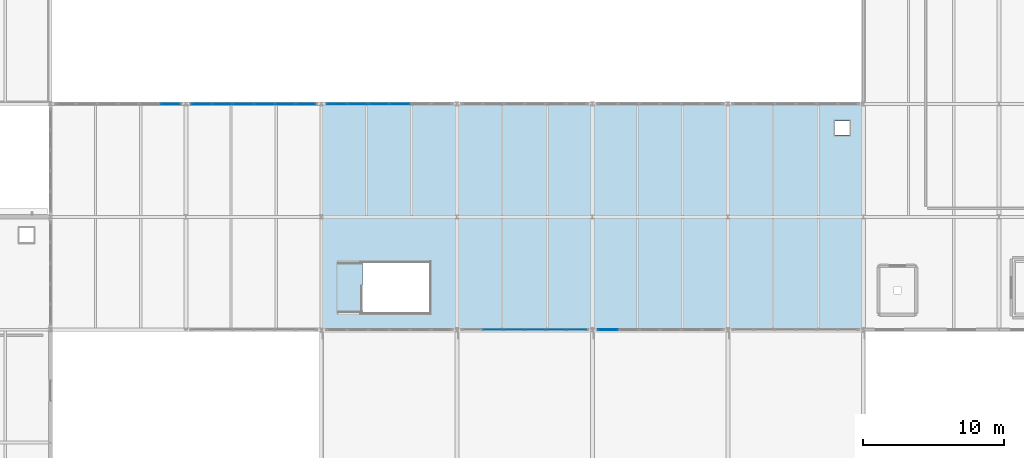
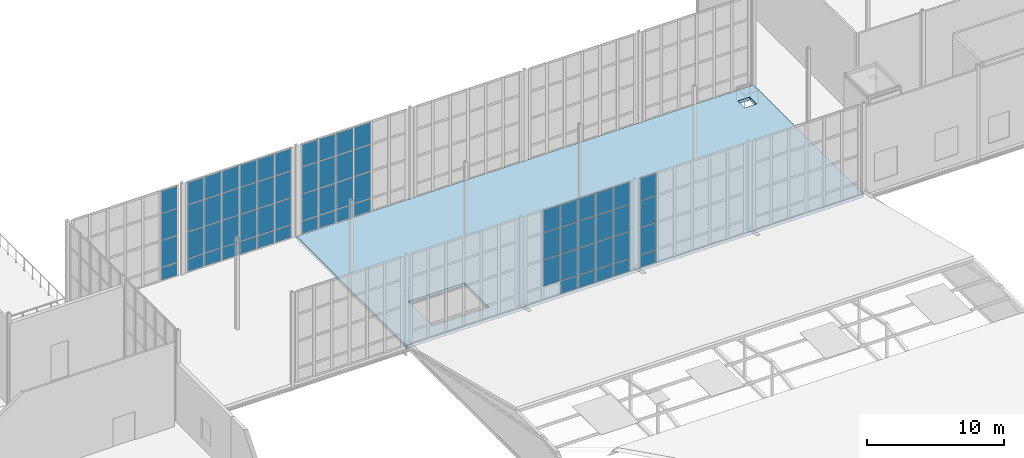
# One storey, part 52 of 73: 67 plates, 1 slab, 5 elements without a shape of their own.
"""IFC4 building model written with IfcOpenShell, lengths in metres."""

from ifc_helpers import new_model, si_unit, direction, frame, origin, origin_2d, place, context, subcontext, project, spatial, polyline, rectangle, outline, extrude, material, layer, layer_set, type_object, element, aggregate, save


model = new_model("IFC4")

# Units and contexts
model_context = context("Model", 3, precision=1e-05, world=origin(), true_north=direction((0.0, 1.0)))
body_context = subcontext(model_context, "Body", "Model", "MODEL_VIEW")
ifc_project = project(units=[si_unit("LENGTHUNIT", "METRE"), si_unit("AREAUNIT", "SQUARE_METRE"), si_unit("VOLUMEUNIT", "CUBIC_METRE"), si_unit("PLANEANGLEUNIT", "RADIAN"), si_unit("MASSUNIT", "GRAM", prefix="KILO")], contexts=[model_context])

# Site, building, storey
site_placement = place(None, origin())
site = spatial("IfcSite", under=ifc_project, at=site_placement, CompositionType="ELEMENT")
building_placement = place(site_placement, origin())
building = spatial("IfcBuilding", under=site, at=building_placement, Name="Alderhovde Museum", CompositionType="ELEMENT")
storey_placement = place(building_placement, frame((0.0, 0.0, 17.39990234375)))
storey = spatial("IfcBuildingStorey", under=building, at=storey_placement, Name="L04", CompositionType="ELEMENT", Elevation=17.39990234375)

# Curtain wall, plates
ifc_material_1 = material(Name="Triple-Glazed Bronze-Anodised Curtain Wall", Category="glass")
ifc_layer_1 = layer(ifc_material_1, 0.219970703125)
ifc_layer_set_1 = layer_set([ifc_layer_1], Name="Triple-Glazed Bronze-Anodised Curtain Wall")
curtain_wall_type = type_object("IfcCurtainWallType", Name="CW-UNIT-890x805", PredefinedType="USERDEFINED", material=ifc_layer_set_1)
curtain_wall_1_placement = place(storey_placement, origin())
curtain_wall_1 = element("IfcCurtainWall", 1, at=curtain_wall_1_placement, inside=storey, type_object=curtain_wall_type, Name="L04 Unitised Curtain Wall 84", ObjectType="UNITISED CURTAIN WALL", PredefinedType="USERDEFINED")
ifc_material_2 = material(Name="Triple-Glazed Low-E Laminated Glass", Category="glass")
ifc_layer_2 = layer(ifc_material_2, 0.028076171875)
ifc_layer_set_2 = layer_set([ifc_layer_2], Name="Triple-Glazed Low-E Laminated Glass")
plate_type_1 = type_object("IfcPlateType", Name="CWP-GLAZ-28", PredefinedType="CURTAIN_PANEL", material=ifc_layer_set_2)
plate_1_placement = place(storey_placement, frame((88.97509765625, 72.0, 1.23779296875), z_axis=(0.0, 0.0, 1.0), x_axis=(1.0, 0.0, 0.0)))
plate_1 = element("IfcPlate", 2, at=plate_1_placement, type_object=plate_type_1, Name="CW21 panel 2.2", PredefinedType="CURTAIN_PANEL", context=body_context, shape_type="SweptSolid", body=[
    extrude(rectangle(XDim=1.408447265625, YDim=0.028076171875, at=origin_2d()), origin(), (0.0, 0.0, 1.0), 2.324951171875),
])
plate_2_placement = place(storey_placement, frame((88.97509765625, 72.0, 3.6376953125), z_axis=(0.0, 0.0, 1.0), x_axis=(1.0, 0.0, 0.0)))
plate_2 = element("IfcPlate", 3, at=plate_2_placement, type_object=plate_type_1, Name="CW21 panel 2.3", PredefinedType="CURTAIN_PANEL", context=body_context, shape_type="SweptSolid", body=[
    extrude(rectangle(XDim=1.408447265625, YDim=0.028076171875, at=origin_2d()), origin(), (0.0, 0.0, 1.0), 2.324951171875),
])
plate_3_placement = place(storey_placement, frame((88.97509765625, 72.0, 6.03759765625), z_axis=(0.0, 0.0, 1.0), x_axis=(1.0, 0.0, 0.0)))
plate_3 = element("IfcPlate", 4, at=plate_3_placement, type_object=plate_type_1, Name="CW21 panel 2.4", PredefinedType="CURTAIN_PANEL", context=body_context, shape_type="SweptSolid", body=[
    extrude(rectangle(XDim=1.408447265625, YDim=0.028076171875, at=origin_2d()), origin(), (0.0, 0.0, 1.0), 1.9375),
])
plate_4_placement = place(storey_placement, frame((90.458251953125, 72.0, 0.0751953125), z_axis=(0.0, 0.0, 1.0), x_axis=(1.0, 0.0, 0.0)))
plate_4 = element("IfcPlate", 5, at=plate_4_placement, type_object=plate_type_1, Name="CW21 panel 3.1", PredefinedType="CURTAIN_PANEL", context=body_context, shape_type="SweptSolid", body=[
    extrude(rectangle(XDim=1.408447265625, YDim=0.028076171875, at=origin_2d()), origin(), (0.0, 0.0, 1.0), 1.08740234375),
])
plate_5_placement = place(storey_placement, frame((90.458251953125, 72.0, 1.23779296875), z_axis=(0.0, 0.0, 1.0), x_axis=(1.0, 0.0, 0.0)))
plate_5 = element("IfcPlate", 6, at=plate_5_placement, type_object=plate_type_1, Name="CW21 panel 3.2", PredefinedType="CURTAIN_PANEL", context=body_context, shape_type="SweptSolid", body=[
    extrude(rectangle(XDim=1.408447265625, YDim=0.028076171875, at=origin_2d()), origin(), (0.0, 0.0, 1.0), 2.324951171875),
])
plate_6_placement = place(storey_placement, frame((90.458251953125, 72.0, 3.6376953125), z_axis=(0.0, 0.0, 1.0), x_axis=(1.0, 0.0, 0.0)))
plate_6 = element("IfcPlate", 7, at=plate_6_placement, type_object=plate_type_1, Name="CW21 panel 3.3", PredefinedType="CURTAIN_PANEL", context=body_context, shape_type="SweptSolid", body=[
    extrude(rectangle(XDim=1.408447265625, YDim=0.028076171875, at=origin_2d()), origin(), (0.0, 0.0, 1.0), 2.324951171875),
])
plate_7_placement = place(storey_placement, frame((90.458251953125, 72.0, 6.03759765625), z_axis=(0.0, 0.0, 1.0), x_axis=(1.0, 0.0, 0.0)))
plate_7 = element("IfcPlate", 8, at=plate_7_placement, type_object=plate_type_1, Name="CW21 panel 3.4", PredefinedType="CURTAIN_PANEL", context=body_context, shape_type="SweptSolid", body=[
    extrude(rectangle(XDim=1.408447265625, YDim=0.028076171875, at=origin_2d()), origin(), (0.0, 0.0, 1.0), 1.9375),
])
plate_8_placement = place(storey_placement, frame((91.941650390625, 72.0, 0.0751953125), z_axis=(0.0, 0.0, 1.0), x_axis=(1.0, 0.0, 0.0)))
plate_8 = element("IfcPlate", 9, at=plate_8_placement, type_object=plate_type_1, Name="CW21 panel 4.1", PredefinedType="CURTAIN_PANEL", context=body_context, shape_type="SweptSolid", body=[
    extrude(rectangle(XDim=1.408447265625, YDim=0.028076171875, at=origin_2d()), origin(), (0.0, 0.0, 1.0), 1.08740234375),
])
plate_9_placement = place(storey_placement, frame((91.941650390625, 72.0, 1.23779296875), z_axis=(0.0, 0.0, 1.0), x_axis=(1.0, 0.0, 0.0)))
plate_9 = element("IfcPlate", 10, at=plate_9_placement, type_object=plate_type_1, Name="CW21 panel 4.2", PredefinedType="CURTAIN_PANEL", context=body_context, shape_type="SweptSolid", body=[
    extrude(rectangle(XDim=1.408447265625, YDim=0.028076171875, at=origin_2d()), origin(), (0.0, 0.0, 1.0), 2.324951171875),
])
plate_10_placement = place(storey_placement, frame((91.941650390625, 72.0, 3.6376953125), z_axis=(0.0, 0.0, 1.0), x_axis=(1.0, 0.0, 0.0)))
plate_10 = element("IfcPlate", 11, at=plate_10_placement, type_object=plate_type_1, Name="CW21 panel 4.3", PredefinedType="CURTAIN_PANEL", context=body_context, shape_type="SweptSolid", body=[
    extrude(rectangle(XDim=1.408447265625, YDim=0.028076171875, at=origin_2d()), origin(), (0.0, 0.0, 1.0), 2.324951171875),
])
plate_11_placement = place(storey_placement, frame((91.941650390625, 72.0, 6.03759765625), z_axis=(0.0, 0.0, 1.0), x_axis=(1.0, 0.0, 0.0)))
plate_11 = element("IfcPlate", 12, at=plate_11_placement, type_object=plate_type_1, Name="CW21 panel 4.4", PredefinedType="CURTAIN_PANEL", context=body_context, shape_type="SweptSolid", body=[
    extrude(rectangle(XDim=1.408447265625, YDim=0.028076171875, at=origin_2d()), origin(), (0.0, 0.0, 1.0), 1.9375),
])
plate_12_placement = place(storey_placement, frame((93.425048828125, 72.0, 0.0751953125), z_axis=(0.0, 0.0, 1.0), x_axis=(1.0, 0.0, 0.0)))
plate_12 = element("IfcPlate", 13, at=plate_12_placement, type_object=plate_type_1, Name="CW21 panel 5.1", PredefinedType="CURTAIN_PANEL", context=body_context, shape_type="SweptSolid", body=[
    extrude(rectangle(XDim=1.408447265625, YDim=0.028076171875, at=origin_2d()), origin(), (0.0, 0.0, 1.0), 1.08740234375),
])
plate_13_placement = place(storey_placement, frame((93.425048828125, 72.0, 1.23779296875), z_axis=(0.0, 0.0, 1.0), x_axis=(1.0, 0.0, 0.0)))
plate_13 = element("IfcPlate", 14, at=plate_13_placement, type_object=plate_type_1, Name="CW21 panel 5.2", PredefinedType="CURTAIN_PANEL", context=body_context, shape_type="SweptSolid", body=[
    extrude(rectangle(XDim=1.408447265625, YDim=0.028076171875, at=origin_2d()), origin(), (0.0, 0.0, 1.0), 2.324951171875),
])
plate_14_placement = place(storey_placement, frame((93.425048828125, 72.0, 3.6376953125), z_axis=(0.0, 0.0, 1.0), x_axis=(1.0, 0.0, 0.0)))
plate_14 = element("IfcPlate", 15, at=plate_14_placement, type_object=plate_type_1, Name="CW21 panel 5.3", PredefinedType="CURTAIN_PANEL", context=body_context, shape_type="SweptSolid", body=[
    extrude(rectangle(XDim=1.408447265625, YDim=0.028076171875, at=origin_2d()), origin(), (0.0, 0.0, 1.0), 2.324951171875),
])
plate_15_placement = place(storey_placement, frame((93.425048828125, 72.0, 6.03759765625), z_axis=(0.0, 0.0, 1.0), x_axis=(1.0, 0.0, 0.0)))
plate_15 = element("IfcPlate", 16, at=plate_15_placement, type_object=plate_type_1, Name="CW21 panel 5.4", PredefinedType="CURTAIN_PANEL", context=body_context, shape_type="SweptSolid", body=[
    extrude(rectangle(XDim=1.408447265625, YDim=0.028076171875, at=origin_2d()), origin(), (0.0, 0.0, 1.0), 1.9375),
])
plate_16_placement = place(storey_placement, frame((94.8896484375, 72.0, 0.0751953125), z_axis=(0.0, 0.0, 1.0), x_axis=(1.0, 0.0, 0.0)))
plate_16 = element("IfcPlate", 17, at=plate_16_placement, type_object=plate_type_1, Name="CW21 panel 6.1", PredefinedType="CURTAIN_PANEL", context=body_context, shape_type="SweptSolid", body=[
    extrude(rectangle(XDim=1.370849609375, YDim=0.028076171875, at=origin_2d()), origin(), (0.0, 0.0, 1.0), 1.08740234375),
])
plate_17_placement = place(storey_placement, frame((94.8896484375, 72.0, 1.23779296875), z_axis=(0.0, 0.0, 1.0), x_axis=(1.0, 0.0, 0.0)))
plate_17 = element("IfcPlate", 18, at=plate_17_placement, type_object=plate_type_1, Name="CW21 panel 6.2", PredefinedType="CURTAIN_PANEL", context=body_context, shape_type="SweptSolid", body=[
    extrude(rectangle(XDim=1.370849609375, YDim=0.028076171875, at=origin_2d()), origin(), (0.0, 0.0, 1.0), 2.324951171875),
])
plate_18_placement = place(storey_placement, frame((94.8896484375, 72.0, 3.6376953125), z_axis=(0.0, 0.0, 1.0), x_axis=(1.0, 0.0, 0.0)))
plate_18 = element("IfcPlate", 19, at=plate_18_placement, type_object=plate_type_1, Name="CW21 panel 6.3", PredefinedType="CURTAIN_PANEL", context=body_context, shape_type="SweptSolid", body=[
    extrude(rectangle(XDim=1.370849609375, YDim=0.028076171875, at=origin_2d()), origin(), (0.0, 0.0, 1.0), 2.324951171875),
])
plate_19_placement = place(storey_placement, frame((94.8896484375, 72.0, 6.03759765625), z_axis=(0.0, 0.0, 1.0), x_axis=(1.0, 0.0, 0.0)))
plate_19 = element("IfcPlate", 20, at=plate_19_placement, type_object=plate_type_1, Name="CW21 panel 6.4", PredefinedType="CURTAIN_PANEL", context=body_context, shape_type="SweptSolid", body=[
    extrude(rectangle(XDim=1.370849609375, YDim=0.028076171875, at=origin_2d()), origin(), (0.0, 0.0, 1.0), 1.9375),
])
aggregate(curtain_wall_1, [plate_1, plate_2, plate_3, plate_4, plate_5, plate_6, plate_7, plate_8, plate_9, plate_10, plate_11, plate_12, plate_13, plate_14, plate_15, plate_16, plate_17, plate_18, plate_19])

curtain_wall_2_placement = place(storey_placement, origin())
curtain_wall_2 = element("IfcCurtainWall", 21, at=curtain_wall_2_placement, inside=storey, type_object=curtain_wall_type, Name="L04 Unitised Curtain Wall 81", ObjectType="UNITISED CURTAIN WALL", PredefinedType="USERDEFINED")
ifc_material_3 = material(Name="Triple-Glazed Low-E Laminated Glass", Category="glass")
ifc_layer_3 = layer(ifc_material_3, 0.035888671875)
ifc_layer_set_3 = layer_set([ifc_layer_3], Name="Triple-Glazed Low-E Laminated Glass")
plate_type_2 = type_object("IfcPlateType", Name="CWP-GLAZ-36", PredefinedType="CURTAIN_PANEL", material=ifc_layer_set_3)
plate_20_placement = place(storey_placement, frame((77.910400390625, 88.0, 0.0751953125), z_axis=(0.0, 0.0, 1.0), x_axis=(1.0, 0.0, 0.0)))
plate_20 = element("IfcPlate", 22, at=plate_20_placement, type_object=plate_type_2, Name="CW21 panel 1.1", PredefinedType="CURTAIN_PANEL", context=body_context, shape_type="SweptSolid", body=[
    extrude(rectangle(XDim=1.370849609375, YDim=0.035888671875, at=origin_2d()), origin(), (0.0, 0.0, 1.0), 1.08740234375),
])
plate_21_placement = place(storey_placement, frame((77.910400390625, 88.0, 1.23779296875), z_axis=(0.0, 0.0, 1.0), x_axis=(1.0, 0.0, 0.0)))
plate_21 = element("IfcPlate", 23, at=plate_21_placement, type_object=plate_type_2, Name="CW21 panel 1.2", PredefinedType="CURTAIN_PANEL", context=body_context, shape_type="SweptSolid", body=[
    extrude(rectangle(XDim=1.370849609375, YDim=0.035888671875, at=origin_2d()), origin(), (0.0, 0.0, 1.0), 2.324951171875),
])
plate_22_placement = place(storey_placement, frame((77.910400390625, 88.0, 3.6376953125), z_axis=(0.0, 0.0, 1.0), x_axis=(1.0, 0.0, 0.0)))
plate_22 = element("IfcPlate", 24, at=plate_22_placement, type_object=plate_type_2, Name="CW21 panel 1.3", PredefinedType="CURTAIN_PANEL", context=body_context, shape_type="SweptSolid", body=[
    extrude(rectangle(XDim=1.370849609375, YDim=0.035888671875, at=origin_2d()), origin(), (0.0, 0.0, 1.0), 2.324951171875),
])
plate_23_placement = place(storey_placement, frame((77.910400390625, 88.0, 6.03759765625), z_axis=(0.0, 0.0, 1.0), x_axis=(1.0, 0.0, 0.0)))
plate_23 = element("IfcPlate", 25, at=plate_23_placement, type_object=plate_type_2, Name="CW21 panel 1.4", PredefinedType="CURTAIN_PANEL", context=body_context, shape_type="SweptSolid", body=[
    extrude(rectangle(XDim=1.370849609375, YDim=0.035888671875, at=origin_2d()), origin(), (0.0, 0.0, 1.0), 1.9375),
])
plate_24_placement = place(storey_placement, frame((79.375, 88.0, 0.0751953125), z_axis=(0.0, 0.0, 1.0), x_axis=(1.0, 0.0, 0.0)))
plate_24 = element("IfcPlate", 26, at=plate_24_placement, type_object=plate_type_2, Name="CW21 panel 2.1", PredefinedType="CURTAIN_PANEL", context=body_context, shape_type="SweptSolid", body=[
    extrude(rectangle(XDim=1.408447265625, YDim=0.035888671875, at=origin_2d()), origin(), (0.0, 0.0, 1.0), 1.08740234375),
])
plate_25_placement = place(storey_placement, frame((79.375, 88.0, 1.23779296875), z_axis=(0.0, 0.0, 1.0), x_axis=(1.0, 0.0, 0.0)))
plate_25 = element("IfcPlate", 27, at=plate_25_placement, type_object=plate_type_2, Name="CW21 panel 2.2", PredefinedType="CURTAIN_PANEL", context=body_context, shape_type="SweptSolid", body=[
    extrude(rectangle(XDim=1.408447265625, YDim=0.035888671875, at=origin_2d()), origin(), (0.0, 0.0, 1.0), 2.324951171875),
])
plate_26_placement = place(storey_placement, frame((79.375, 88.0, 3.6376953125), z_axis=(0.0, 0.0, 1.0), x_axis=(1.0, 0.0, 0.0)))
plate_26 = element("IfcPlate", 28, at=plate_26_placement, type_object=plate_type_2, Name="CW21 panel 2.3", PredefinedType="CURTAIN_PANEL", context=body_context, shape_type="SweptSolid", body=[
    extrude(rectangle(XDim=1.408447265625, YDim=0.035888671875, at=origin_2d()), origin(), (0.0, 0.0, 1.0), 2.324951171875),
])
plate_27_placement = place(storey_placement, frame((79.375, 88.0, 6.03759765625), z_axis=(0.0, 0.0, 1.0), x_axis=(1.0, 0.0, 0.0)))
plate_27 = element("IfcPlate", 29, at=plate_27_placement, type_object=plate_type_2, Name="CW21 panel 2.4", PredefinedType="CURTAIN_PANEL", context=body_context, shape_type="SweptSolid", body=[
    extrude(rectangle(XDim=1.408447265625, YDim=0.035888671875, at=origin_2d()), origin(), (0.0, 0.0, 1.0), 1.9375),
])
plate_28_placement = place(storey_placement, frame((80.8583984375, 88.0, 0.0751953125), z_axis=(0.0, 0.0, 1.0), x_axis=(1.0, 0.0, 0.0)))
plate_28 = element("IfcPlate", 30, at=plate_28_placement, type_object=plate_type_2, Name="CW21 panel 3.1", PredefinedType="CURTAIN_PANEL", context=body_context, shape_type="SweptSolid", body=[
    extrude(rectangle(XDim=1.408447265625, YDim=0.035888671875, at=origin_2d()), origin(), (0.0, 0.0, 1.0), 1.08740234375),
])
plate_29_placement = place(storey_placement, frame((80.8583984375, 88.0, 1.23779296875), z_axis=(0.0, 0.0, 1.0), x_axis=(1.0, 0.0, 0.0)))
plate_29 = element("IfcPlate", 31, at=plate_29_placement, type_object=plate_type_2, Name="CW21 panel 3.2", PredefinedType="CURTAIN_PANEL", context=body_context, shape_type="SweptSolid", body=[
    extrude(rectangle(XDim=1.408447265625, YDim=0.035888671875, at=origin_2d()), origin(), (0.0, 0.0, 1.0), 2.324951171875),
])
plate_30_placement = place(storey_placement, frame((80.8583984375, 88.0, 3.6376953125), z_axis=(0.0, 0.0, 1.0), x_axis=(1.0, 0.0, 0.0)))
plate_30 = element("IfcPlate", 32, at=plate_30_placement, type_object=plate_type_2, Name="CW21 panel 3.3", PredefinedType="CURTAIN_PANEL", context=body_context, shape_type="SweptSolid", body=[
    extrude(rectangle(XDim=1.408447265625, YDim=0.035888671875, at=origin_2d()), origin(), (0.0, 0.0, 1.0), 2.324951171875),
])
plate_31_placement = place(storey_placement, frame((80.8583984375, 88.0, 6.03759765625), z_axis=(0.0, 0.0, 1.0), x_axis=(1.0, 0.0, 0.0)))
plate_31 = element("IfcPlate", 33, at=plate_31_placement, type_object=plate_type_2, Name="CW21 panel 3.4", PredefinedType="CURTAIN_PANEL", context=body_context, shape_type="SweptSolid", body=[
    extrude(rectangle(XDim=1.408447265625, YDim=0.035888671875, at=origin_2d()), origin(), (0.0, 0.0, 1.0), 1.9375),
])
plate_32_placement = place(storey_placement, frame((82.341552734375, 88.0, 0.0751953125), z_axis=(0.0, 0.0, 1.0), x_axis=(1.0, 0.0, 0.0)))
plate_32 = element("IfcPlate", 34, at=plate_32_placement, type_object=plate_type_2, Name="CW21 panel 4.1", PredefinedType="CURTAIN_PANEL", context=body_context, shape_type="SweptSolid", body=[
    extrude(rectangle(XDim=1.408447265625, YDim=0.035888671875, at=origin_2d()), origin(), (0.0, 0.0, 1.0), 1.08740234375),
])
plate_33_placement = place(storey_placement, frame((82.341552734375, 88.0, 1.23779296875), z_axis=(0.0, 0.0, 1.0), x_axis=(1.0, 0.0, 0.0)))
plate_33 = element("IfcPlate", 35, at=plate_33_placement, type_object=plate_type_2, Name="CW21 panel 4.2", PredefinedType="CURTAIN_PANEL", context=body_context, shape_type="SweptSolid", body=[
    extrude(rectangle(XDim=1.408447265625, YDim=0.035888671875, at=origin_2d()), origin(), (0.0, 0.0, 1.0), 2.324951171875),
])
plate_34_placement = place(storey_placement, frame((82.341552734375, 88.0, 3.6376953125), z_axis=(0.0, 0.0, 1.0), x_axis=(1.0, 0.0, 0.0)))
plate_34 = element("IfcPlate", 36, at=plate_34_placement, type_object=plate_type_2, Name="CW21 panel 4.3", PredefinedType="CURTAIN_PANEL", context=body_context, shape_type="SweptSolid", body=[
    extrude(rectangle(XDim=1.408447265625, YDim=0.035888671875, at=origin_2d()), origin(), (0.0, 0.0, 1.0), 2.324951171875),
])
plate_35_placement = place(storey_placement, frame((82.341552734375, 88.0, 6.03759765625), z_axis=(0.0, 0.0, 1.0), x_axis=(1.0, 0.0, 0.0)))
plate_35 = element("IfcPlate", 37, at=plate_35_placement, type_object=plate_type_2, Name="CW21 panel 4.4", PredefinedType="CURTAIN_PANEL", context=body_context, shape_type="SweptSolid", body=[
    extrude(rectangle(XDim=1.408447265625, YDim=0.035888671875, at=origin_2d()), origin(), (0.0, 0.0, 1.0), 1.9375),
])
aggregate(curtain_wall_2, [plate_20, plate_21, plate_22, plate_23, plate_24, plate_25, plate_26, plate_27, plate_28, plate_29, plate_30, plate_31, plate_32, plate_33, plate_34, plate_35])

curtain_wall_3_placement = place(storey_placement, origin())
curtain_wall_3 = element("IfcCurtainWall", 38, at=curtain_wall_3_placement, inside=storey, type_object=curtain_wall_type, Name="L04 Unitised Curtain Wall 78", ObjectType="UNITISED CURTAIN WALL", PredefinedType="USERDEFINED")
ifc_material_4 = material(Name="Triple-Glazed Low-E Laminated Glass", Category="glass")
ifc_layer_4 = layer(ifc_material_4, 0.0439453125)
ifc_layer_set_4 = layer_set([ifc_layer_4], Name="Triple-Glazed Low-E Laminated Glass")
plate_type_3 = type_object("IfcPlateType", Name="CWP-GLAZ-44", PredefinedType="CURTAIN_PANEL", material=ifc_layer_set_4)
plate_36_placement = place(storey_placement, frame((66.089599609375, 88.0, 0.0751953125), z_axis=(0.0, 0.0, 1.0), x_axis=(1.0, 0.0, 0.0)))
plate_36 = element("IfcPlate", 39, at=plate_36_placement, type_object=plate_type_3, Name="CW21 panel 6.1", PredefinedType="CURTAIN_PANEL", context=body_context, shape_type="SweptSolid", body=[
    extrude(rectangle(XDim=1.370849609375, YDim=0.0439453125, at=origin_2d()), origin(), (0.0, 0.0, 1.0), 1.08740234375),
])
plate_37_placement = place(storey_placement, frame((66.089599609375, 88.0, 1.23779296875), z_axis=(0.0, 0.0, 1.0), x_axis=(1.0, 0.0, 0.0)))
plate_37 = element("IfcPlate", 40, at=plate_37_placement, type_object=plate_type_3, Name="CW21 panel 6.2", PredefinedType="CURTAIN_PANEL", context=body_context, shape_type="SweptSolid", body=[
    extrude(rectangle(XDim=1.370849609375, YDim=0.0439453125, at=origin_2d()), origin(), (0.0, 0.0, 1.0), 2.324951171875),
])
plate_38_placement = place(storey_placement, frame((66.089599609375, 88.0, 3.6376953125), z_axis=(0.0, 0.0, 1.0), x_axis=(1.0, 0.0, 0.0)))
plate_38 = element("IfcPlate", 41, at=plate_38_placement, type_object=plate_type_3, Name="CW21 panel 6.3", PredefinedType="CURTAIN_PANEL", context=body_context, shape_type="SweptSolid", body=[
    extrude(rectangle(XDim=1.370849609375, YDim=0.0439453125, at=origin_2d()), origin(), (0.0, 0.0, 1.0), 2.324951171875),
])
plate_39_placement = place(storey_placement, frame((66.089599609375, 88.0, 6.03759765625), z_axis=(0.0, 0.0, 1.0), x_axis=(1.0, 0.0, 0.0)))
plate_39 = element("IfcPlate", 42, at=plate_39_placement, type_object=plate_type_3, Name="CW21 panel 6.4", PredefinedType="CURTAIN_PANEL", context=body_context, shape_type="SweptSolid", body=[
    extrude(rectangle(XDim=1.370849609375, YDim=0.0439453125, at=origin_2d()), origin(), (0.0, 0.0, 1.0), 1.9375),
])
aggregate(curtain_wall_3, [plate_36, plate_37, plate_38, plate_39])

curtain_wall_4_placement = place(storey_placement, origin())
curtain_wall_4 = element("IfcCurtainWall", 43, at=curtain_wall_4_placement, inside=storey, type_object=curtain_wall_type, Name="L04 Unitised Curtain Wall 86", ObjectType="UNITISED CURTAIN WALL", PredefinedType="USERDEFINED")
plate_40_placement = place(storey_placement, frame((97.1103515625, 72.0, 0.0751953125), z_axis=(0.0, 0.0, 1.0), x_axis=(1.0, 0.0, 0.0)))
plate_40 = element("IfcPlate", 44, at=plate_40_placement, type_object=plate_type_3, Name="CW21 panel 1.1", PredefinedType="CURTAIN_PANEL", context=body_context, shape_type="SweptSolid", body=[
    extrude(rectangle(XDim=1.370849609375, YDim=0.0439453125, at=origin_2d()), origin(), (0.0, 0.0, 1.0), 1.08740234375),
])
plate_41_placement = place(storey_placement, frame((97.1103515625, 72.0, 1.23779296875), z_axis=(0.0, 0.0, 1.0), x_axis=(1.0, 0.0, 0.0)))
plate_41 = element("IfcPlate", 45, at=plate_41_placement, type_object=plate_type_3, Name="CW21 panel 1.2", PredefinedType="CURTAIN_PANEL", context=body_context, shape_type="SweptSolid", body=[
    extrude(rectangle(XDim=1.370849609375, YDim=0.0439453125, at=origin_2d()), origin(), (0.0, 0.0, 1.0), 2.324951171875),
])
plate_42_placement = place(storey_placement, frame((97.1103515625, 72.0, 3.6376953125), z_axis=(0.0, 0.0, 1.0), x_axis=(1.0, 0.0, 0.0)))
plate_42 = element("IfcPlate", 46, at=plate_42_placement, type_object=plate_type_3, Name="CW21 panel 1.3", PredefinedType="CURTAIN_PANEL", context=body_context, shape_type="SweptSolid", body=[
    extrude(rectangle(XDim=1.370849609375, YDim=0.0439453125, at=origin_2d()), origin(), (0.0, 0.0, 1.0), 2.324951171875),
])
plate_43_placement = place(storey_placement, frame((97.1103515625, 72.0, 6.03759765625), z_axis=(0.0, 0.0, 1.0), x_axis=(1.0, 0.0, 0.0)))
plate_43 = element("IfcPlate", 47, at=plate_43_placement, type_object=plate_type_3, Name="CW21 panel 1.4", PredefinedType="CURTAIN_PANEL", context=body_context, shape_type="SweptSolid", body=[
    extrude(rectangle(XDim=1.370849609375, YDim=0.0439453125, at=origin_2d()), origin(), (0.0, 0.0, 1.0), 1.9375),
])
aggregate(curtain_wall_4, [plate_40, plate_41, plate_42, plate_43])

curtain_wall_5_placement = place(storey_placement, origin())
curtain_wall_5 = element("IfcCurtainWall", 48, at=curtain_wall_5_placement, inside=storey, type_object=curtain_wall_type, Name="L04 Unitised Curtain Wall 79", ObjectType="UNITISED CURTAIN WALL", PredefinedType="USERDEFINED")
ifc_material_5 = material(Name="Triple-Glazed Low-E Laminated Glass", Category="glass")
ifc_layer_5 = layer(ifc_material_5, 0.052001953125)
ifc_layer_set_5 = layer_set([ifc_layer_5], Name="Triple-Glazed Low-E Laminated Glass")
plate_type_4 = type_object("IfcPlateType", Name="CWP-GLAZ-52", PredefinedType="CURTAIN_PANEL", material=ifc_layer_set_5)
plate_44_placement = place(storey_placement, frame((68.310302734375, 88.0, 0.0751953125), z_axis=(0.0, 0.0, 1.0), x_axis=(1.0, 0.0, 0.0)))
plate_44 = element("IfcPlate", 49, at=plate_44_placement, type_object=plate_type_4, Name="CW21 panel 1.1", PredefinedType="CURTAIN_PANEL", context=body_context, shape_type="SweptSolid", body=[
    extrude(rectangle(XDim=1.370849609375, YDim=0.052001953125, at=origin_2d()), origin(), (0.0, 0.0, 1.0), 1.08740234375),
])
plate_45_placement = place(storey_placement, frame((68.310302734375, 88.0, 1.23779296875), z_axis=(0.0, 0.0, 1.0), x_axis=(1.0, 0.0, 0.0)))
plate_45 = element("IfcPlate", 50, at=plate_45_placement, type_object=plate_type_4, Name="CW21 panel 1.2", PredefinedType="CURTAIN_PANEL", context=body_context, shape_type="SweptSolid", body=[
    extrude(rectangle(XDim=1.370849609375, YDim=0.052001953125, at=origin_2d()), origin(), (0.0, 0.0, 1.0), 2.324951171875),
])
plate_46_placement = place(storey_placement, frame((68.310302734375, 88.0, 3.6376953125), z_axis=(0.0, 0.0, 1.0), x_axis=(1.0, 0.0, 0.0)))
plate_46 = element("IfcPlate", 51, at=plate_46_placement, type_object=plate_type_4, Name="CW21 panel 1.3", PredefinedType="CURTAIN_PANEL", context=body_context, shape_type="SweptSolid", body=[
    extrude(rectangle(XDim=1.370849609375, YDim=0.052001953125, at=origin_2d()), origin(), (0.0, 0.0, 1.0), 2.324951171875),
])
plate_47_placement = place(storey_placement, frame((68.310302734375, 88.0, 6.03759765625), z_axis=(0.0, 0.0, 1.0), x_axis=(1.0, 0.0, 0.0)))
plate_47 = element("IfcPlate", 52, at=plate_47_placement, type_object=plate_type_4, Name="CW21 panel 1.4", PredefinedType="CURTAIN_PANEL", context=body_context, shape_type="SweptSolid", body=[
    extrude(rectangle(XDim=1.370849609375, YDim=0.052001953125, at=origin_2d()), origin(), (0.0, 0.0, 1.0), 1.9375),
])
plate_48_placement = place(storey_placement, frame((69.77490234375, 88.0, 0.0751953125), z_axis=(0.0, 0.0, 1.0), x_axis=(1.0, 0.0, 0.0)))
plate_48 = element("IfcPlate", 53, at=plate_48_placement, type_object=plate_type_4, Name="CW21 panel 2.1", PredefinedType="CURTAIN_PANEL", context=body_context, shape_type="SweptSolid", body=[
    extrude(rectangle(XDim=1.408447265625, YDim=0.052001953125, at=origin_2d()), origin(), (0.0, 0.0, 1.0), 1.08740234375),
])
plate_49_placement = place(storey_placement, frame((69.77490234375, 88.0, 1.23779296875), z_axis=(0.0, 0.0, 1.0), x_axis=(1.0, 0.0, 0.0)))
plate_49 = element("IfcPlate", 54, at=plate_49_placement, type_object=plate_type_4, Name="CW21 panel 2.2", PredefinedType="CURTAIN_PANEL", context=body_context, shape_type="SweptSolid", body=[
    extrude(rectangle(XDim=1.408447265625, YDim=0.052001953125, at=origin_2d()), origin(), (0.0, 0.0, 1.0), 2.324951171875),
])
plate_50_placement = place(storey_placement, frame((69.77490234375, 88.0, 3.6376953125), z_axis=(0.0, 0.0, 1.0), x_axis=(1.0, 0.0, 0.0)))
plate_50 = element("IfcPlate", 55, at=plate_50_placement, type_object=plate_type_4, Name="CW21 panel 2.3", PredefinedType="CURTAIN_PANEL", context=body_context, shape_type="SweptSolid", body=[
    extrude(rectangle(XDim=1.408447265625, YDim=0.052001953125, at=origin_2d()), origin(), (0.0, 0.0, 1.0), 2.324951171875),
])
plate_51_placement = place(storey_placement, frame((69.77490234375, 88.0, 6.03759765625), z_axis=(0.0, 0.0, 1.0), x_axis=(1.0, 0.0, 0.0)))
plate_51 = element("IfcPlate", 56, at=plate_51_placement, type_object=plate_type_4, Name="CW21 panel 2.4", PredefinedType="CURTAIN_PANEL", context=body_context, shape_type="SweptSolid", body=[
    extrude(rectangle(XDim=1.408447265625, YDim=0.052001953125, at=origin_2d()), origin(), (0.0, 0.0, 1.0), 1.9375),
])
plate_52_placement = place(storey_placement, frame((71.25830078125, 88.0, 0.0751953125), z_axis=(0.0, 0.0, 1.0), x_axis=(1.0, 0.0, 0.0)))
plate_52 = element("IfcPlate", 57, at=plate_52_placement, type_object=plate_type_4, Name="CW21 panel 3.1", PredefinedType="CURTAIN_PANEL", context=body_context, shape_type="SweptSolid", body=[
    extrude(rectangle(XDim=1.408447265625, YDim=0.052001953125, at=origin_2d()), origin(), (0.0, 0.0, 1.0), 1.08740234375),
])
plate_53_placement = place(storey_placement, frame((71.25830078125, 88.0, 1.23779296875), z_axis=(0.0, 0.0, 1.0), x_axis=(1.0, 0.0, 0.0)))
plate_53 = element("IfcPlate", 58, at=plate_53_placement, type_object=plate_type_4, Name="CW21 panel 3.2", PredefinedType="CURTAIN_PANEL", context=body_context, shape_type="SweptSolid", body=[
    extrude(rectangle(XDim=1.408447265625, YDim=0.052001953125, at=origin_2d()), origin(), (0.0, 0.0, 1.0), 2.324951171875),
])
plate_54_placement = place(storey_placement, frame((71.25830078125, 88.0, 3.6376953125), z_axis=(0.0, 0.0, 1.0), x_axis=(1.0, 0.0, 0.0)))
plate_54 = element("IfcPlate", 59, at=plate_54_placement, type_object=plate_type_4, Name="CW21 panel 3.3", PredefinedType="CURTAIN_PANEL", context=body_context, shape_type="SweptSolid", body=[
    extrude(rectangle(XDim=1.408447265625, YDim=0.052001953125, at=origin_2d()), origin(), (0.0, 0.0, 1.0), 2.324951171875),
])
plate_55_placement = place(storey_placement, frame((71.25830078125, 88.0, 6.03759765625), z_axis=(0.0, 0.0, 1.0), x_axis=(1.0, 0.0, 0.0)))
plate_55 = element("IfcPlate", 60, at=plate_55_placement, type_object=plate_type_4, Name="CW21 panel 3.4", PredefinedType="CURTAIN_PANEL", context=body_context, shape_type="SweptSolid", body=[
    extrude(rectangle(XDim=1.408447265625, YDim=0.052001953125, at=origin_2d()), origin(), (0.0, 0.0, 1.0), 1.9375),
])
plate_56_placement = place(storey_placement, frame((72.74169921875, 88.0, 0.0751953125), z_axis=(0.0, 0.0, 1.0), x_axis=(1.0, 0.0, 0.0)))
plate_56 = element("IfcPlate", 61, at=plate_56_placement, type_object=plate_type_4, Name="CW21 panel 4.1", PredefinedType="CURTAIN_PANEL", context=body_context, shape_type="SweptSolid", body=[
    extrude(rectangle(XDim=1.408447265625, YDim=0.052001953125, at=origin_2d()), origin(), (0.0, 0.0, 1.0), 1.08740234375),
])
plate_57_placement = place(storey_placement, frame((72.74169921875, 88.0, 1.23779296875), z_axis=(0.0, 0.0, 1.0), x_axis=(1.0, 0.0, 0.0)))
plate_57 = element("IfcPlate", 62, at=plate_57_placement, type_object=plate_type_4, Name="CW21 panel 4.2", PredefinedType="CURTAIN_PANEL", context=body_context, shape_type="SweptSolid", body=[
    extrude(rectangle(XDim=1.408447265625, YDim=0.052001953125, at=origin_2d()), origin(), (0.0, 0.0, 1.0), 2.324951171875),
])
plate_58_placement = place(storey_placement, frame((72.74169921875, 88.0, 3.6376953125), z_axis=(0.0, 0.0, 1.0), x_axis=(1.0, 0.0, 0.0)))
plate_58 = element("IfcPlate", 63, at=plate_58_placement, type_object=plate_type_4, Name="CW21 panel 4.3", PredefinedType="CURTAIN_PANEL", context=body_context, shape_type="SweptSolid", body=[
    extrude(rectangle(XDim=1.408447265625, YDim=0.052001953125, at=origin_2d()), origin(), (0.0, 0.0, 1.0), 2.324951171875),
])
plate_59_placement = place(storey_placement, frame((72.74169921875, 88.0, 6.03759765625), z_axis=(0.0, 0.0, 1.0), x_axis=(1.0, 0.0, 0.0)))
plate_59 = element("IfcPlate", 64, at=plate_59_placement, type_object=plate_type_4, Name="CW21 panel 4.4", PredefinedType="CURTAIN_PANEL", context=body_context, shape_type="SweptSolid", body=[
    extrude(rectangle(XDim=1.408447265625, YDim=0.052001953125, at=origin_2d()), origin(), (0.0, 0.0, 1.0), 1.9375),
])
plate_60_placement = place(storey_placement, frame((74.22509765625, 88.0, 0.0751953125), z_axis=(0.0, 0.0, 1.0), x_axis=(1.0, 0.0, 0.0)))
plate_60 = element("IfcPlate", 65, at=plate_60_placement, type_object=plate_type_4, Name="CW21 panel 5.1", PredefinedType="CURTAIN_PANEL", context=body_context, shape_type="SweptSolid", body=[
    extrude(rectangle(XDim=1.408447265625, YDim=0.052001953125, at=origin_2d()), origin(), (0.0, 0.0, 1.0), 1.08740234375),
])
plate_61_placement = place(storey_placement, frame((74.22509765625, 88.0, 1.23779296875), z_axis=(0.0, 0.0, 1.0), x_axis=(1.0, 0.0, 0.0)))
plate_61 = element("IfcPlate", 66, at=plate_61_placement, type_object=plate_type_4, Name="CW21 panel 5.2", PredefinedType="CURTAIN_PANEL", context=body_context, shape_type="SweptSolid", body=[
    extrude(rectangle(XDim=1.408447265625, YDim=0.052001953125, at=origin_2d()), origin(), (0.0, 0.0, 1.0), 2.324951171875),
])
plate_62_placement = place(storey_placement, frame((74.22509765625, 88.0, 3.6376953125), z_axis=(0.0, 0.0, 1.0), x_axis=(1.0, 0.0, 0.0)))
plate_62 = element("IfcPlate", 67, at=plate_62_placement, type_object=plate_type_4, Name="CW21 panel 5.3", PredefinedType="CURTAIN_PANEL", context=body_context, shape_type="SweptSolid", body=[
    extrude(rectangle(XDim=1.408447265625, YDim=0.052001953125, at=origin_2d()), origin(), (0.0, 0.0, 1.0), 2.324951171875),
])
plate_63_placement = place(storey_placement, frame((74.22509765625, 88.0, 6.03759765625), z_axis=(0.0, 0.0, 1.0), x_axis=(1.0, 0.0, 0.0)))
plate_63 = element("IfcPlate", 68, at=plate_63_placement, type_object=plate_type_4, Name="CW21 panel 5.4", PredefinedType="CURTAIN_PANEL", context=body_context, shape_type="SweptSolid", body=[
    extrude(rectangle(XDim=1.408447265625, YDim=0.052001953125, at=origin_2d()), origin(), (0.0, 0.0, 1.0), 1.9375),
])
plate_64_placement = place(storey_placement, frame((75.689697265625, 88.0, 0.0751953125), z_axis=(0.0, 0.0, 1.0), x_axis=(1.0, 0.0, 0.0)))
plate_64 = element("IfcPlate", 69, at=plate_64_placement, type_object=plate_type_4, Name="CW21 panel 6.1", PredefinedType="CURTAIN_PANEL", context=body_context, shape_type="SweptSolid", body=[
    extrude(rectangle(XDim=1.370849609375, YDim=0.052001953125, at=origin_2d()), origin(), (0.0, 0.0, 1.0), 1.08740234375),
])
plate_65_placement = place(storey_placement, frame((75.689697265625, 88.0, 1.23779296875), z_axis=(0.0, 0.0, 1.0), x_axis=(1.0, 0.0, 0.0)))
plate_65 = element("IfcPlate", 70, at=plate_65_placement, type_object=plate_type_4, Name="CW21 panel 6.2", PredefinedType="CURTAIN_PANEL", context=body_context, shape_type="SweptSolid", body=[
    extrude(rectangle(XDim=1.370849609375, YDim=0.052001953125, at=origin_2d()), origin(), (0.0, 0.0, 1.0), 2.324951171875),
])
plate_66_placement = place(storey_placement, frame((75.689697265625, 88.0, 3.6376953125), z_axis=(0.0, 0.0, 1.0), x_axis=(1.0, 0.0, 0.0)))
plate_66 = element("IfcPlate", 71, at=plate_66_placement, type_object=plate_type_4, Name="CW21 panel 6.3", PredefinedType="CURTAIN_PANEL", context=body_context, shape_type="SweptSolid", body=[
    extrude(rectangle(XDim=1.370849609375, YDim=0.052001953125, at=origin_2d()), origin(), (0.0, 0.0, 1.0), 2.324951171875),
])
plate_67_placement = place(storey_placement, frame((75.689697265625, 88.0, 6.03759765625), z_axis=(0.0, 0.0, 1.0), x_axis=(1.0, 0.0, 0.0)))
plate_67 = element("IfcPlate", 72, at=plate_67_placement, type_object=plate_type_4, Name="CW21 panel 6.4", PredefinedType="CURTAIN_PANEL", context=body_context, shape_type="SweptSolid", body=[
    extrude(rectangle(XDim=1.370849609375, YDim=0.052001953125, at=origin_2d()), origin(), (0.0, 0.0, 1.0), 1.9375),
])
aggregate(curtain_wall_5, [plate_44, plate_45, plate_46, plate_47, plate_48, plate_49, plate_50, plate_51, plate_52, plate_53, plate_54, plate_55, plate_56, plate_57, plate_58, plate_59, plate_60, plate_61, plate_62, plate_63, plate_64, plate_65, plate_66, plate_67])

# Slab
ifc_material_6 = material(Name="Concrete C35/45", Category="concrete")
ifc_layer_6 = layer(ifc_material_6, 0.280029296875)
ifc_layer_set_6 = layer_set([ifc_layer_6], Name="Concrete C35/45")
slab_type = type_object("IfcSlabType", Name="SLB-FLR-280", PredefinedType="FLOOR", material=ifc_layer_set_6)
slab_placement = place(storey_placement, frame((0.0, 0.0, -0.27978515625)))
element("IfcSlab", 73, at=slab_placement, inside=storey, type_object=slab_type, Name="L04 VOL2 Structural Slab", PredefinedType="FLOOR", context=body_context, shape_type="SweptSolid", body=[
    extrude(outline(polyline([(76.800048828125, 72.0), (115.199951171875, 72.0), (115.199951171875, 88.0), (76.800048828125, 88.0), (76.800048828125, 72.0)]), holes=[polyline([(79.7099609375, 73.199951171875), (84.43994140625, 73.199951171875), (84.43994140625, 76.760009765625), (79.7099609375, 76.760009765625), (79.7099609375, 73.199951171875)]), polyline([(113.199951171875, 85.800048828125), (114.199951171875, 85.800048828125), (114.199951171875, 86.800048828125), (113.199951171875, 86.800048828125), (113.199951171875, 85.800048828125)])]), origin(), (0.0, 0.0, 1.0), 0.27978515625),
])

save(model, "model.ifc")
